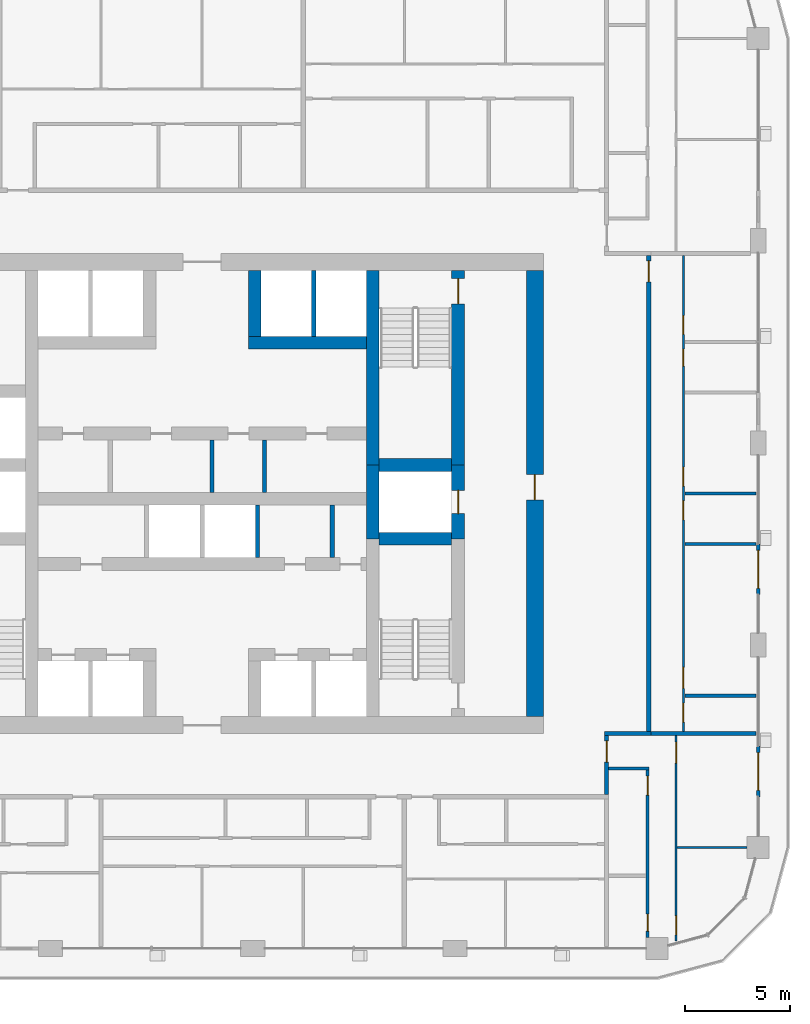
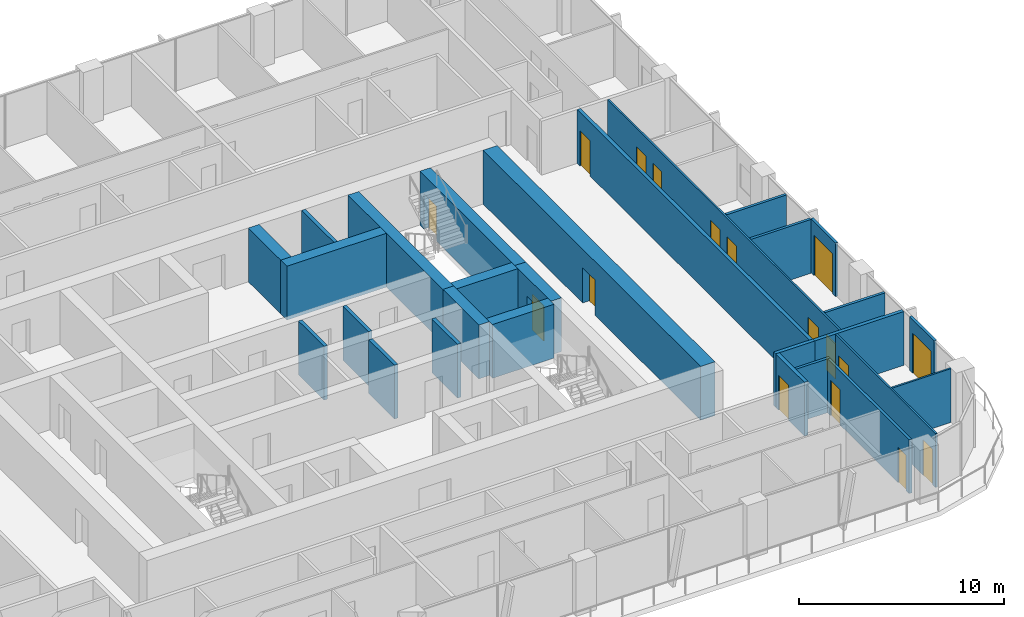
# One storey, part 12 of 22: 28 walls, 17 doors, 17 openings.
"""IFC4 building model written with IfcOpenShell, lengths in metres."""

from ifc_helpers import new_model, si_unit, direction, frame, frame_2d, origin, place, context, subcontext, project, spatial, rectangle, extrude, material, layer, layer_set, type_object, element, fill, save


model = new_model("IFC4")

# Units and contexts
model_context = context("Model", 3, precision=1e-05, world=origin(), true_north=direction((0.0, 1.0)))
body_context = subcontext(model_context, "Body", "Model", "MODEL_VIEW")
ifc_project = project(units=[si_unit("LENGTHUNIT", "METRE"), si_unit("AREAUNIT", "SQUARE_METRE"), si_unit("VOLUMEUNIT", "CUBIC_METRE"), si_unit("PLANEANGLEUNIT", "RADIAN"), si_unit("MASSUNIT", "GRAM", prefix="KILO")], contexts=[model_context])

# Site, building, storey
site_placement = place(None, origin())
site = spatial("IfcSite", under=ifc_project, at=site_placement, CompositionType="ELEMENT")
building_placement = place(site_placement, origin())
building = spatial("IfcBuilding", under=site, at=building_placement, Name="Madar Terraces", CompositionType="ELEMENT")
storey_placement = place(building_placement, frame((0.0, 0.0, 136.60009765625)))
storey = spatial("IfcBuildingStorey", under=building, at=storey_placement, Name="L35", CompositionType="ELEMENT", Elevation=136.60009765625)

# Walls
ifc_material_1 = material(Name="Concrete C70/85", Category="concrete")
ifc_layer_1 = layer(ifc_material_1, 0.60009765625)
ifc_layer_set_1 = layer_set([ifc_layer_1], Name="Concrete C70/85 (CIW3 RC wall 600)")
wall_type_1 = type_object("IfcWallType", Name="CIW3 RC wall 600", PredefinedType="SHEAR", material=ifc_layer_set_1)
wall_1_placement = place(storey_placement, frame((39.300048828125, 24.25, 0.0), z_axis=(0.0, 0.0, 1.0), x_axis=(0.0, 1.0, 0.0)))
element("IfcWall", 1, at=wall_1_placement, inside=storey, type_object=wall_type_1, Name="CORE SHAFT WALL", PredefinedType="SHEAR", context=body_context, shape_type="SweptSolid", body=[
    extrude(rectangle(XDim=3.5, YDim=0.60009765625, at=frame_2d((1.75, 0.0))), origin(), (0.0, 0.0, 1.0), 3.199951171875),
])
wall_2_placement = place(storey_placement, frame((39.300048828125, 27.75, 0.0), z_axis=(0.0, 0.0, 1.0), x_axis=(0.0, 1.0, 0.0)))
element("IfcWall", 2, at=wall_2_placement, inside=storey, type_object=wall_type_1, Name="CORE SHAFT WALL", PredefinedType="SHEAR", context=body_context, shape_type="SweptSolid", body=[
    extrude(rectangle(XDim=9.25, YDim=0.60009765625, at=frame_2d((4.625, 0.0))), origin(), (0.0, 0.0, 1.0), 3.199951171875),
])

# Wall, opening, door
wall_3_placement = place(storey_placement, frame((43.35009765625, 24.25, 0.0), z_axis=(0.0, 0.0, 1.0), x_axis=(0.0, 1.0, 0.0)))
wall_3 = element("IfcWall", 3, at=wall_3_placement, inside=storey, type_object=wall_type_1, Name="CORE SHAFT WALL", PredefinedType="SHEAR", context=body_context, shape_type="SweptSolid", body=[
    extrude(rectangle(XDim=3.5, YDim=0.60009765625, at=frame_2d((1.75, 0.0))), origin(), (0.0, 0.0, 1.0), 3.199951171875),
])
opening_1_placement = place(wall_3_placement, frame((1.199951171875, 0.0, 0.0)))
opening_1 = element("IfcOpeningElement", 4, at=opening_1_placement, cuts=wall_3, Name="Opening LD", PredefinedType="OPENING", context=body_context, shape_type="SweptSolid", body=[
    extrude(rectangle(XDim=1.10009765625, YDim=2.10009765625, at=frame_2d((0.550048828125, 1.050048828125))), frame((0.0, 0.31005859375, 0.0), z_axis=(0.0, -1.0, 0.0), x_axis=(1.0, 0.0, 0.0)), (0.0, 0.0, 1.0), 0.6201171875),
])
ifc_material_2 = material(Name="Stainless steel panel", Category="steel")
door_type_1 = type_object("IfcDoorType", Name="Lift landing door 1100 x 2100", OperationType="DOUBLE_DOOR_SLIDING", PredefinedType="DOOR", material=ifc_material_2)
door_1_placement = place(opening_1_placement, origin())
door_1 = element("IfcDoor", 5, at=door_1_placement, inside=storey, type_object=door_type_1, Name="LIFT LANDING DOOR", OperationType="DOUBLE_DOOR_SLIDING", OverallHeight=2.10009765625, OverallWidth=1.10009765625, PredefinedType="DOOR", context=body_context, shape_type="SweptSolid", body=[
    extrude(rectangle(XDim=1.10009765625, YDim=2.10009765625, at=frame_2d((0.550048828125, 1.050048828125))), frame((0.0, 0.02490234375, 0.0), z_axis=(0.0, -1.0, 0.0), x_axis=(1.0, 0.0, 0.0)), (0.0, 0.0, 1.0), 0.050048828125),
])
fill(opening_1, door_1)

wall_4_placement = place(storey_placement, frame((43.35009765625, 27.75, 0.0), z_axis=(0.0, 0.0, 1.0), x_axis=(0.0, 1.0, 0.0)))
wall_4 = element("IfcWall", 6, at=wall_4_placement, inside=storey, type_object=wall_type_1, Name="CORE SHAFT WALL", PredefinedType="SHEAR", context=body_context, shape_type="SweptSolid", body=[
    extrude(rectangle(XDim=9.25, YDim=0.60009765625, at=frame_2d((4.625, 0.0))), origin(), (0.0, 0.0, 1.0), 3.199951171875),
])
opening_2_placement = place(wall_4_placement, frame((7.64990234375, 0.0, 0.0)))
opening_2 = element("IfcOpeningElement", 7, at=opening_2_placement, cuts=wall_4, Name="Opening SD1", PredefinedType="OPENING", context=body_context, shape_type="SweptSolid", body=[
    extrude(rectangle(XDim=1.199951171875, YDim=2.10009765625, at=frame_2d((0.60009765625, 1.050048828125))), frame((0.0, 0.31005859375, 0.0), z_axis=(0.0, -1.0, 0.0), x_axis=(1.0, 0.0, 0.0)), (0.0, 0.0, 1.0), 0.6201171875),
])
ifc_material_3 = material(Name="Steel door leaf", Category="steel")
door_type_2 = type_object("IfcDoorType", Name="Stair door 1200 x 2100", OperationType="NOTDEFINED", PredefinedType="DOOR", material=ifc_material_3)
door_2_placement = place(opening_2_placement, origin())
door_2 = element("IfcDoor", 8, at=door_2_placement, inside=storey, type_object=door_type_2, Name="STAIR DOOR", OperationType="SINGLE_SWING_LEFT", OverallHeight=2.10009765625, OverallWidth=1.199951171875, PredefinedType="DOOR", context=body_context, shape_type="SweptSolid", body=[
    extrude(rectangle(XDim=1.199951171875, YDim=2.10009765625, at=frame_2d((0.60009765625, 1.050048828125))), frame((0.0, 0.02490234375, 0.0), z_axis=(0.0, -1.0, 0.0), x_axis=(1.0, 0.0, 0.0)), (0.0, 0.0, 1.0), 0.050048828125),
])
fill(opening_2, door_2)

# Walls
for number, where, z_axis, x_axis, name in (
    (9, (39.60009765625, 24.25, 0.0), (0.0, 0.0, 1.0), (1.0, 0.0, 0.0), "CORE SHAFT WALL"),
    (10, (39.60009765625, 27.75, 0.0), (0.0, 0.0, 1.0), (1.0, 0.0, 0.0), "CORE SHAFT WALL"),
):
    element("IfcWall", number, at=place(storey_placement, frame(where, z_axis=z_axis, x_axis=x_axis)), inside=storey, type_object=wall_type_1, Name=name, PredefinedType="SHEAR", context=body_context, shape_type="SweptSolid", body=[
        extrude(rectangle(XDim=3.449951171875, YDim=0.60009765625, at=frame_2d((1.72509765625, 0.0))), origin(), (0.0, 0.0, 1.0), 3.199951171875),
    ])
wall_5_placement = place(storey_placement, frame((33.39990234375, 33.550048828125, 0.0), z_axis=(0.0, 0.0, 1.0), x_axis=(1.0, 0.0, 0.0)))
element("IfcWall", 11, at=wall_5_placement, inside=storey, type_object=wall_type_1, Name="CORE SHAFT WALL", PredefinedType="SHEAR", context=body_context, shape_type="SweptSolid", body=[
    extrude(rectangle(XDim=5.60009765625, YDim=0.60009765625, at=frame_2d((2.800048828125, 0.0))), origin(), (0.0, 0.0, 1.0), 3.199951171875),
])
wall_6_placement = place(storey_placement, frame((33.699951171875, 33.85009765625, 0.0), z_axis=(0.0, 0.0, 1.0), x_axis=(0.0, 1.0, 0.0)))
element("IfcWall", 12, at=wall_6_placement, inside=storey, type_object=wall_type_1, Name="CORE SHAFT WALL", PredefinedType="SHEAR", context=body_context, shape_type="SweptSolid", body=[
    extrude(rectangle(XDim=3.14990234375, YDim=0.60009765625, at=frame_2d((1.574951171875, 0.0))), origin(), (0.0, 0.0, 1.0), 3.199951171875),
])

# Wall, opening, door
ifc_material_4 = material(Name="Concrete C70/85", Category="concrete")
ifc_layer_2 = layer(ifc_material_4, 0.800048828125)
ifc_layer_set_2 = layer_set([ifc_layer_2], Name="Concrete C70/85 (CRW3 RC wall 800)")
wall_type_2 = type_object("IfcWallType", Name="CRW3 RC wall 800", PredefinedType="SHEAR", material=ifc_layer_set_2)
wall_7_placement = place(storey_placement, frame((47.0, 15.800048828125, 0.0), z_axis=(0.0, 0.0, 1.0), x_axis=(0.0, 1.0, 0.0)))
wall_7 = element("IfcWall", 13, at=wall_7_placement, inside=storey, type_object=wall_type_2, Name="CORE OUTER WALL", PredefinedType="SHEAR", context=body_context, shape_type="SweptSolid", body=[
    extrude(rectangle(XDim=21.199951171875, YDim=0.800048828125, at=frame_2d((10.60009765625, 0.0))), origin(), (0.0, 0.0, 1.0), 3.199951171875),
])
opening_3_placement = place(wall_7_placement, frame((10.300048828125, 0.0, 0.0)))
opening_3 = element("IfcOpeningElement", 14, at=opening_3_placement, cuts=wall_7, Name="Opening SD1", PredefinedType="OPENING", context=body_context, shape_type="SweptSolid", body=[
    extrude(rectangle(XDim=1.199951171875, YDim=2.10009765625, at=frame_2d((0.60009765625, 1.050048828125))), frame((0.0, 0.409912109375, 0.0), z_axis=(0.0, -1.0, 0.0), x_axis=(1.0, 0.0, 0.0)), (0.0, 0.0, 1.0), 0.820068359375),
])
door_3_placement = place(opening_3_placement, origin())
door_3 = element("IfcDoor", 15, at=door_3_placement, inside=storey, type_object=door_type_2, Name="STAIR DOOR", OperationType="SINGLE_SWING_LEFT", OverallHeight=2.10009765625, OverallWidth=1.199951171875, PredefinedType="DOOR", context=body_context, shape_type="SweptSolid", body=[
    extrude(rectangle(XDim=1.199951171875, YDim=2.10009765625, at=frame_2d((0.60009765625, 1.050048828125))), frame((0.0, 0.02490234375, 0.0), z_axis=(0.0, -1.0, 0.0), x_axis=(1.0, 0.0, 0.0)), (0.0, 0.0, 1.0), 0.050048828125),
])
fill(opening_3, door_3)

# Walls
ifc_material_5 = material(Name="Masonry blockwork", Category="masonry")
ifc_layer_3 = layer(ifc_material_5, 0.199951171875)
ifc_layer_set_3 = layer_set([ifc_layer_3], Name="Core partition 200 blockwork")
wall_type_3 = type_object("IfcWallType", Name="Core partition 200 blockwork", PredefinedType="PARTITIONING", material=ifc_layer_set_3)
for number, where, z_axis, x_axis, name in (
    (16, (37.378662109375, 23.35009765625, 0.0), (0.0, 0.0, 1.0), (0.0, 1.0, 0.0), "SERVICE ROOM PARTITION"),
    (17, (31.66796875, 26.449951171875, 0.0), (0.0, 0.0, 1.0), (0.0, 1.0, 0.0), "SERVICE ROOM PARTITION"),
    (18, (34.1640625, 26.449951171875, 0.0), (0.0, 0.0, 1.0), (0.0, 1.0, 0.0), "SERVICE ROOM PARTITION"),
):
    element("IfcWall", number, at=place(storey_placement, frame(where, z_axis=z_axis, x_axis=x_axis)), inside=storey, type_object=wall_type_3, Name=name, PredefinedType="PARTITIONING", context=body_context, shape_type="SweptSolid", body=[
        extrude(rectangle(XDim=2.5, YDim=0.199951171875, at=frame_2d((1.25, 0.0))), origin(), (0.0, 0.0, 1.0), 3.199951171875),
    ])
ifc_material_6 = material(Name="Concrete C40/50", Category="concrete")
ifc_layer_4 = layer(ifc_material_6, 0.199951171875)
ifc_layer_set_4 = layer_set([ifc_layer_4], Name="Core shaft dividing wall 200 C40/50")
wall_type_4 = type_object("IfcWallType", Name="Core shaft dividing wall 200 C40/50", PredefinedType="SOLIDWALL", material=ifc_layer_set_4)
wall_8_placement = place(storey_placement, frame((33.833251953125, 23.35009765625, 0.0), z_axis=(0.0, 0.0, 1.0), x_axis=(0.0, 1.0, 0.0)))
element("IfcWall", 19, at=wall_8_placement, inside=storey, type_object=wall_type_4, Name="SHAFT DIVIDING WALL", PredefinedType="SOLIDWALL", context=body_context, shape_type="SweptSolid", body=[
    extrude(rectangle(XDim=2.5, YDim=0.199951171875, at=frame_2d((1.25, 0.0))), origin(), (0.0, 0.0, 1.0), 3.199951171875),
])
wall_9_placement = place(storey_placement, frame((36.5, 33.85009765625, 0.0), z_axis=(0.0, 0.0, 1.0), x_axis=(0.0, 1.0, 0.0)))
element("IfcWall", 20, at=wall_9_placement, inside=storey, type_object=wall_type_4, Name="SHAFT DIVIDING WALL", PredefinedType="SOLIDWALL", context=body_context, shape_type="SweptSolid", body=[
    extrude(rectangle(XDim=3.14990234375, YDim=0.199951171875, at=frame_2d((1.574951171875, 0.0))), origin(), (0.0, 0.0, 1.0), 3.199951171875),
])

# Wall, opening, door
ifc_material_7 = material(Name="Aluminium composite panel, black, over insulated backing", Category="aluminium")
ifc_layer_5 = layer(ifc_material_7, 0.14990234375)
ifc_layer_set_5 = layer_set([ifc_layer_5], Name="Facade bay panel 150")
wall_type_5 = type_object("IfcWallType", Name="Facade bay panel 150", PredefinedType="SOLIDWALL", material=ifc_layer_set_5)
wall_10_placement = place(storey_placement, frame((57.60009765625, 12.0, 0.0), z_axis=(0.0, 0.0, 1.0), x_axis=(0.0, 1.0, 0.0)))
wall_10 = element("IfcWall", 21, at=wall_10_placement, inside=storey, type_object=wall_type_5, Name="Facade bay panel", PredefinedType="SOLIDWALL", context=body_context, shape_type="SweptSolid", body=[
    extrude(rectangle(XDim=2.39990234375, YDim=0.14990234375, at=frame_2d((1.199951171875, 0.0))), origin(), (0.0, 0.0, 1.0), 3.199951171875),
])
opening_4_placement = place(wall_10_placement, frame((0.300048828125, 0.0, 0.0)))
opening_4 = element("IfcOpeningElement", 22, at=opening_4_placement, cuts=wall_10, Name="Opening ED1", PredefinedType="OPENING", context=body_context, shape_type="SweptSolid", body=[
    extrude(rectangle(XDim=1.800048828125, YDim=2.39990234375, at=frame_2d((0.89990234375, 1.199951171875))), frame((0.0, 0.0849609375, 0.0), z_axis=(0.0, -1.0, 0.0), x_axis=(1.0, 0.0, 0.0)), (0.0, 0.0, 1.0), 0.169921875),
])
ifc_material_8 = material(Name="Glass, clear, with black aluminium frame", Category="aluminium")
door_type_3 = type_object("IfcDoorType", Name="Balcony and terrace sliding door 1800 x 2400", OperationType="SLIDING_TO_LEFT", PredefinedType="DOOR", material=ifc_material_8)
door_4_placement = place(opening_4_placement, origin())
door_4 = element("IfcDoor", 23, at=door_4_placement, inside=storey, type_object=door_type_3, Name="Balcony door", OperationType="SLIDING_TO_RIGHT", OverallHeight=2.39990234375, OverallWidth=1.800048828125, PredefinedType="DOOR", context=body_context, shape_type="SweptSolid", body=[
    extrude(rectangle(XDim=1.800048828125, YDim=2.39990234375, at=frame_2d((0.89990234375, 1.199951171875))), frame((0.0, 0.02490234375, 0.0), z_axis=(0.0, -1.0, 0.0), x_axis=(1.0, 0.0, 0.0)), (0.0, 0.0, 1.0), 0.050048828125),
])
fill(opening_4, door_4)

wall_11_placement = place(storey_placement, frame((57.60009765625, 21.60009765625, 0.0), z_axis=(0.0, 0.0, 1.0), x_axis=(0.0, 1.0, 0.0)))
wall_11 = element("IfcWall", 24, at=wall_11_placement, inside=storey, type_object=wall_type_5, Name="Facade bay panel", PredefinedType="SOLIDWALL", context=body_context, shape_type="SweptSolid", body=[
    extrude(rectangle(XDim=2.39990234375, YDim=0.14990234375, at=frame_2d((1.199951171875, 0.0))), origin(), (0.0, 0.0, 1.0), 3.199951171875),
])
opening_5_placement = place(wall_11_placement, frame((0.300048828125, 0.0, 0.0)))
opening_5 = element("IfcOpeningElement", 25, at=opening_5_placement, cuts=wall_11, Name="Opening ED1", PredefinedType="OPENING", context=body_context, shape_type="SweptSolid", body=[
    extrude(rectangle(XDim=1.800048828125, YDim=2.39990234375, at=frame_2d((0.89990234375, 1.199951171875))), frame((0.0, 0.0849609375, 0.0), z_axis=(0.0, -1.0, 0.0), x_axis=(1.0, 0.0, 0.0)), (0.0, 0.0, 1.0), 0.169921875),
])
door_5_placement = place(opening_5_placement, origin())
door_5 = element("IfcDoor", 26, at=door_5_placement, inside=storey, type_object=door_type_3, Name="Balcony door", OperationType="SLIDING_TO_LEFT", OverallHeight=2.39990234375, OverallWidth=1.800048828125, PredefinedType="DOOR", context=body_context, shape_type="SweptSolid", body=[
    extrude(rectangle(XDim=1.800048828125, YDim=2.39990234375, at=frame_2d((0.89990234375, 1.199951171875))), frame((0.0, 0.02490234375, 0.0), z_axis=(0.0, -1.0, 0.0), x_axis=(1.0, 0.0, 0.0)), (0.0, 0.0, 1.0), 0.050048828125),
])
fill(opening_5, door_5)

# Wall
ifc_material_9 = material(Name="Gypsum board on steel studs", Category="steel")
ifc_layer_6 = layer(ifc_material_9, 0.10009765625)
ifc_layer_set_6 = layer_set([ifc_layer_6], Name="Flat partition 100")
wall_type_6 = type_object("IfcWallType", Name="Flat partition 100", PredefinedType="PARTITIONING", material=ifc_layer_set_6)
wall_12_placement = place(storey_placement, frame((53.75, 9.60009765625, 0.0), z_axis=(0.0, 0.0, 1.0), x_axis=(1.0, 0.0, 0.0)))
element("IfcWall", 27, at=wall_12_placement, inside=storey, type_object=wall_type_6, Name="Flat partition 100", PredefinedType="PARTITIONING", context=body_context, shape_type="SweptSolid", body=[
    extrude(rectangle(XDim=3.324951171875, YDim=0.10009765625, at=frame_2d((1.66259765625, 0.0))), origin(), (0.0, 0.0, 1.0), 3.199951171875),
])

# Wall, openings, doors
wall_13_placement = place(storey_placement, frame((53.699951171875, 14.89990234375, 0.0), z_axis=(0.0, 0.0, 1.0), x_axis=(0.0, -1.0, 0.0)))
wall_13 = element("IfcWall", 28, at=wall_13_placement, inside=storey, type_object=wall_type_6, Name="Flat partition 100", PredefinedType="PARTITIONING", context=body_context, shape_type="SweptSolid", body=[
    extrude(rectangle(XDim=9.7587890625, YDim=0.10009765625, at=frame_2d((4.87939453125, 0.0))), origin(), (0.0, 0.0, 1.0), 3.199951171875),
])
opening_6_placement = place(wall_13_placement, frame((0.300048828125, 0.0, 0.0)))
opening_6 = element("IfcOpeningElement", 29, at=opening_6_placement, cuts=wall_13, Name="Opening D3", PredefinedType="OPENING", context=body_context, shape_type="SweptSolid", body=[
    extrude(rectangle(XDim=1.0, YDim=2.10009765625, at=frame_2d((0.5, 1.050048828125))), frame((0.0, 0.06005859375, 0.0), z_axis=(0.0, -1.0, 0.0), x_axis=(1.0, 0.0, 0.0)), (0.0, 0.0, 1.0), 0.1201171875),
])
opening_7_placement = place(wall_13_placement, frame((8.558837890625, 0.0, 0.0)))
opening_7 = element("IfcOpeningElement", 30, at=opening_7_placement, cuts=wall_13, Name="Opening D2", PredefinedType="OPENING", context=body_context, shape_type="SweptSolid", body=[
    extrude(rectangle(XDim=0.89990234375, YDim=2.10009765625, at=frame_2d((0.449951171875, 1.050048828125))), frame((0.0, 0.06005859375, 0.0), z_axis=(0.0, -1.0, 0.0), x_axis=(1.0, 0.0, 0.0)), (0.0, 0.0, 1.0), 0.1201171875),
])
ifc_material_10 = material(Name="Timber door leaf", Category="wood")
door_type_4 = type_object("IfcDoorType", Name="Flat living room door 1000", OperationType="NOTDEFINED", PredefinedType="DOOR", material=ifc_material_10)
door_6_placement = place(opening_6_placement, origin())
door_6 = element("IfcDoor", 31, at=door_6_placement, inside=storey, type_object=door_type_4, Name="Flat living room door 1000", OperationType="SINGLE_SWING_LEFT", OverallHeight=2.10009765625, OverallWidth=1.0, PredefinedType="DOOR", context=body_context, shape_type="SweptSolid", body=[
    extrude(rectangle(XDim=1.0, YDim=2.10009765625, at=frame_2d((0.5, 1.050048828125))), frame((0.0, 0.02490234375, 0.0), z_axis=(0.0, -1.0, 0.0), x_axis=(1.0, 0.0, 0.0)), (0.0, 0.0, 1.0), 0.050048828125),
])
fill(opening_6, door_6)
ifc_material_11 = material(Name="Timber door leaf", Category="wood")
door_type_5 = type_object("IfcDoorType", Name="Flat room door 900", OperationType="NOTDEFINED", PredefinedType="DOOR", material=ifc_material_11)
door_7_placement = place(opening_7_placement, origin())
door_7 = element("IfcDoor", 32, at=door_7_placement, inside=storey, type_object=door_type_5, Name="Flat room door 900", OperationType="SINGLE_SWING_RIGHT", OverallHeight=2.10009765625, OverallWidth=0.89990234375, PredefinedType="DOOR", context=body_context, shape_type="SweptSolid", body=[
    extrude(rectangle(XDim=0.89990234375, YDim=2.10009765625, at=frame_2d((0.449951171875, 1.050048828125))), frame((0.0, 0.02490234375, 0.0), z_axis=(0.0, -1.0, 0.0), x_axis=(1.0, 0.0, 0.0)), (0.0, 0.0, 1.0), 0.050048828125),
])
fill(opening_7, door_7)

wall_14_placement = place(storey_placement, frame((54.050048828125, 37.699951171875, 0.0), z_axis=(0.0, 0.0, 1.0), x_axis=(0.0, -1.0, 0.0)))
wall_14 = element("IfcWall", 33, at=wall_14_placement, inside=storey, type_object=wall_type_6, Name="Flat partition 100", PredefinedType="PARTITIONING", context=body_context, shape_type="SweptSolid", body=[
    extrude(rectangle(XDim=22.599853515625, YDim=0.10009765625, at=frame_2d((11.2998046875, 0.0))), origin(), (0.0, 0.0, 1.0), 3.199951171875),
])
opening_8_placement = place(wall_14_placement, frame((2.85009765625, 0.0, 0.0)))
opening_8 = element("IfcOpeningElement", 34, at=opening_8_placement, cuts=wall_14, Name="Opening D2", PredefinedType="OPENING", context=body_context, shape_type="SweptSolid", body=[
    extrude(rectangle(XDim=0.89990234375, YDim=2.10009765625, at=frame_2d((0.449951171875, 1.050048828125))), frame((0.0, 0.06005859375, 0.0), z_axis=(0.0, -1.0, 0.0), x_axis=(1.0, 0.0, 0.0)), (0.0, 0.0, 1.0), 0.1201171875),
])
opening_9_placement = place(wall_14_placement, frame((4.449951171875, 0.0, 0.0)))
opening_9 = element("IfcOpeningElement", 35, at=opening_9_placement, cuts=wall_14, Name="Opening D4", PredefinedType="OPENING", context=body_context, shape_type="SweptSolid", body=[
    extrude(rectangle(XDim=0.800048828125, YDim=2.10009765625, at=frame_2d((0.39990234375, 1.050048828125))), frame((0.0, 0.06005859375, 0.0), z_axis=(0.0, -1.0, 0.0), x_axis=(1.0, 0.0, 0.0)), (0.0, 0.0, 1.0), 0.1201171875),
])
opening_10_placement = place(wall_14_placement, frame((10.050048828125, 0.0, 0.0)))
opening_10 = element("IfcOpeningElement", 36, at=opening_10_placement, cuts=wall_14, Name="Opening D2", PredefinedType="OPENING", context=body_context, shape_type="SweptSolid", body=[
    extrude(rectangle(XDim=0.89990234375, YDim=2.10009765625, at=frame_2d((0.449951171875, 1.050048828125))), frame((0.0, 0.06005859375, 0.0), z_axis=(0.0, -1.0, 0.0), x_axis=(1.0, 0.0, 0.0)), (0.0, 0.0, 1.0), 0.1201171875),
])
opening_11_placement = place(wall_14_placement, frame((11.64990234375, 0.0, 0.0)))
opening_11 = element("IfcOpeningElement", 37, at=opening_11_placement, cuts=wall_14, Name="Opening D5", PredefinedType="OPENING", context=body_context, shape_type="SweptSolid", body=[
    extrude(rectangle(XDim=0.89990234375, YDim=2.10009765625, at=frame_2d((0.449951171875, 1.050048828125))), frame((0.0, 0.06005859375, 0.0), z_axis=(0.0, -1.0, 0.0), x_axis=(1.0, 0.0, 0.0)), (0.0, 0.0, 1.0), 0.1201171875),
])
opening_12_placement = place(wall_14_placement, frame((19.550048828125, 0.0, 0.0)))
opening_12 = element("IfcOpeningElement", 38, at=opening_12_placement, cuts=wall_14, Name="Opening D3", PredefinedType="OPENING", context=body_context, shape_type="SweptSolid", body=[
    extrude(rectangle(XDim=1.0, YDim=2.10009765625, at=frame_2d((0.5, 1.050048828125))), frame((0.0, 0.06005859375, 0.0), z_axis=(0.0, -1.0, 0.0), x_axis=(1.0, 0.0, 0.0)), (0.0, 0.0, 1.0), 0.1201171875),
])
opening_13_placement = place(wall_14_placement, frame((21.25, 0.0, 0.0)))
opening_13 = element("IfcOpeningElement", 39, at=opening_13_placement, cuts=wall_14, Name="Opening D2", PredefinedType="OPENING", context=body_context, shape_type="SweptSolid", body=[
    extrude(rectangle(XDim=0.89990234375, YDim=2.10009765625, at=frame_2d((0.449951171875, 1.050048828125))), frame((0.0, 0.06005859375, 0.0), z_axis=(0.0, -1.0, 0.0), x_axis=(1.0, 0.0, 0.0)), (0.0, 0.0, 1.0), 0.1201171875),
])
ifc_material_12 = material(Name="Timber door leaf", Category="wood")
door_type_6 = type_object("IfcDoorType", Name="Flat accessible bathroom door 900", OperationType="NOTDEFINED", PredefinedType="DOOR", material=ifc_material_12)
door_8_placement = place(opening_11_placement, origin())
door_8 = element("IfcDoor", 40, at=door_8_placement, inside=storey, type_object=door_type_6, Name="Flat accessible bathroom door 900", OperationType="SINGLE_SWING_LEFT", OverallHeight=2.10009765625, OverallWidth=0.89990234375, PredefinedType="DOOR", context=body_context, shape_type="SweptSolid", body=[
    extrude(rectangle(XDim=0.89990234375, YDim=2.10009765625, at=frame_2d((0.449951171875, 1.050048828125))), frame((0.0, 0.02490234375, 0.0), z_axis=(0.0, -1.0, 0.0), x_axis=(1.0, 0.0, 0.0)), (0.0, 0.0, 1.0), 0.050048828125),
])
fill(opening_11, door_8)
ifc_material_13 = material(Name="Timber door leaf", Category="wood")
door_type_7 = type_object("IfcDoorType", Name="Flat bathroom door 800", OperationType="NOTDEFINED", PredefinedType="DOOR", material=ifc_material_13)
door_9_placement = place(opening_9_placement, origin())
door_9 = element("IfcDoor", 41, at=door_9_placement, inside=storey, type_object=door_type_7, Name="Flat bathroom door 800", OperationType="SINGLE_SWING_LEFT", OverallHeight=2.10009765625, OverallWidth=0.800048828125, PredefinedType="DOOR", context=body_context, shape_type="SweptSolid", body=[
    extrude(rectangle(XDim=0.800048828125, YDim=2.10009765625, at=frame_2d((0.39990234375, 1.050048828125))), frame((0.0, 0.02490234375, 0.0), z_axis=(0.0, -1.0, 0.0), x_axis=(1.0, 0.0, 0.0)), (0.0, 0.0, 1.0), 0.050048828125),
])
fill(opening_9, door_9)
door_10_placement = place(opening_12_placement, origin())
door_10 = element("IfcDoor", 42, at=door_10_placement, inside=storey, type_object=door_type_4, Name="Flat living room door 1000", OperationType="SINGLE_SWING_RIGHT", OverallHeight=2.10009765625, OverallWidth=1.0, PredefinedType="DOOR", context=body_context, shape_type="SweptSolid", body=[
    extrude(rectangle(XDim=1.0, YDim=2.10009765625, at=frame_2d((0.5, 1.050048828125))), frame((0.0, 0.02490234375, 0.0), z_axis=(0.0, -1.0, 0.0), x_axis=(1.0, 0.0, 0.0)), (0.0, 0.0, 1.0), 0.050048828125),
])
fill(opening_12, door_10)
door_11_placement = place(opening_8_placement, origin())
door_11 = element("IfcDoor", 43, at=door_11_placement, inside=storey, type_object=door_type_5, Name="Flat room door 900", OperationType="SINGLE_SWING_RIGHT", OverallHeight=2.10009765625, OverallWidth=0.89990234375, PredefinedType="DOOR", context=body_context, shape_type="SweptSolid", body=[
    extrude(rectangle(XDim=0.89990234375, YDim=2.10009765625, at=frame_2d((0.449951171875, 1.050048828125))), frame((0.0, 0.02490234375, 0.0), z_axis=(0.0, -1.0, 0.0), x_axis=(1.0, 0.0, 0.0)), (0.0, 0.0, 1.0), 0.050048828125),
])
fill(opening_8, door_11)
door_12_placement = place(opening_10_placement, origin())
door_12 = element("IfcDoor", 44, at=door_12_placement, inside=storey, type_object=door_type_5, Name="Flat room door 900", OperationType="SINGLE_SWING_RIGHT", OverallHeight=2.10009765625, OverallWidth=0.89990234375, PredefinedType="DOOR", context=body_context, shape_type="SweptSolid", body=[
    extrude(rectangle(XDim=0.89990234375, YDim=2.10009765625, at=frame_2d((0.449951171875, 1.050048828125))), frame((0.0, 0.02490234375, 0.0), z_axis=(0.0, -1.0, 0.0), x_axis=(1.0, 0.0, 0.0)), (0.0, 0.0, 1.0), 0.050048828125),
])
fill(opening_10, door_12)
door_13_placement = place(opening_13_placement, origin())
door_13 = element("IfcDoor", 45, at=door_13_placement, inside=storey, type_object=door_type_5, Name="Flat room door 900", OperationType="SINGLE_SWING_LEFT", OverallHeight=2.10009765625, OverallWidth=0.89990234375, PredefinedType="DOOR", context=body_context, shape_type="SweptSolid", body=[
    extrude(rectangle(XDim=0.89990234375, YDim=2.10009765625, at=frame_2d((0.449951171875, 1.050048828125))), frame((0.0, 0.02490234375, 0.0), z_axis=(0.0, -1.0, 0.0), x_axis=(1.0, 0.0, 0.0)), (0.0, 0.0, 1.0), 0.050048828125),
])
fill(opening_13, door_13)

# Wall, opening, door
ifc_material_14 = material(Name="Lightweight blockwork", Category="masonry")
ifc_layer_7 = layer(ifc_material_14, 0.199951171875)
ifc_layer_set_7 = layer_set([ifc_layer_7], Name="Flat party and entrance wall 200")
wall_type_7 = type_object("IfcWallType", Name="Flat party and entrance wall 200", PredefinedType="PARTITIONING", material=ifc_layer_set_7)
wall_15_placement = place(storey_placement, frame((50.39990234375, 14.89990234375, 0.0), z_axis=(0.0, 0.0, 1.0), x_axis=(0.0, -1.0, 0.0)))
wall_15 = element("IfcWall", 46, at=wall_15_placement, inside=storey, type_object=wall_type_7, Name="Flat party and entrance wall 200", PredefinedType="PARTITIONING", context=body_context, shape_type="SweptSolid", body=[
    extrude(rectangle(XDim=2.7998046875, YDim=0.199951171875, at=frame_2d((1.39990234375, 0.0))), origin(), (0.0, 0.0, 1.0), 3.199951171875),
])
opening_14_placement = place(wall_15_placement, frame((0.25, 0.0, 0.0)))
opening_14 = element("IfcOpeningElement", 47, at=opening_14_placement, cuts=wall_15, Name="Opening D1", PredefinedType="OPENING", context=body_context, shape_type="SweptSolid", body=[
    extrude(rectangle(XDim=1.0, YDim=2.10009765625, at=frame_2d((0.5, 1.050048828125))), frame((0.0, 0.10986328125, 0.0), z_axis=(0.0, -1.0, 0.0), x_axis=(1.0, 0.0, 0.0)), (0.0, 0.0, 1.0), 0.219970703125),
])
ifc_material_15 = material(Name="Timber fire door leaf", Category="wood")
door_type_8 = type_object("IfcDoorType", Name="Flat entrance door 1000 FD30S", OperationType="NOTDEFINED", PredefinedType="DOOR", material=ifc_material_15)
door_14_placement = place(opening_14_placement, origin())
door_14 = element("IfcDoor", 48, at=door_14_placement, inside=storey, type_object=door_type_8, Name="Flat entrance door 1000 FD30S", OperationType="SINGLE_SWING_LEFT", OverallHeight=2.10009765625, OverallWidth=1.0, PredefinedType="DOOR", context=body_context, shape_type="SweptSolid", body=[
    extrude(rectangle(XDim=1.0, YDim=2.10009765625, at=frame_2d((0.5, 1.050048828125))), frame((0.0, 0.02490234375, 0.0), z_axis=(0.0, -1.0, 0.0), x_axis=(1.0, 0.0, 0.0)), (0.0, 0.0, 1.0), 0.050048828125),
])
fill(opening_14, door_14)

# Wall
wall_16_placement = place(storey_placement, frame((50.300048828125, 15.0, 0.0), z_axis=(0.0, 0.0, 1.0), x_axis=(1.0, 0.0, 0.0)))
element("IfcWall", 49, at=wall_16_placement, inside=storey, type_object=wall_type_7, Name="Flat party and entrance wall 200", PredefinedType="PARTITIONING", context=body_context, shape_type="SweptSolid", body=[
    extrude(rectangle(XDim=2.199951171875, YDim=0.199951171875, at=frame_2d((1.10009765625, 0.0))), origin(), (0.0, 0.0, 1.0), 3.199951171875),
])

# Wall, opening, door
wall_17_placement = place(storey_placement, frame((52.39990234375, 37.699951171875, 0.0), z_axis=(0.0, 0.0, 1.0), x_axis=(0.0, -1.0, 0.0)))
wall_17 = element("IfcWall", 50, at=wall_17_placement, inside=storey, type_object=wall_type_7, Name="Flat party and entrance wall 200", PredefinedType="PARTITIONING", context=body_context, shape_type="SweptSolid", body=[
    extrude(rectangle(XDim=22.599853515625, YDim=0.199951171875, at=frame_2d((11.2998046875, 0.0))), origin(), (0.0, 0.0, 1.0), 3.199951171875),
])
opening_15_placement = place(wall_17_placement, frame((0.25, 0.0, 0.0)))
opening_15 = element("IfcOpeningElement", 51, at=opening_15_placement, cuts=wall_17, Name="Opening D1", PredefinedType="OPENING", context=body_context, shape_type="SweptSolid", body=[
    extrude(rectangle(XDim=1.0, YDim=2.10009765625, at=frame_2d((0.5, 1.050048828125))), frame((0.0, 0.10986328125, 0.0), z_axis=(0.0, -1.0, 0.0), x_axis=(1.0, 0.0, 0.0)), (0.0, 0.0, 1.0), 0.219970703125),
])
door_15_placement = place(opening_15_placement, origin())
door_15 = element("IfcDoor", 52, at=door_15_placement, inside=storey, type_object=door_type_8, Name="Flat entrance door 1000 FD30S", OperationType="SINGLE_SWING_LEFT", OverallHeight=2.10009765625, OverallWidth=1.0, PredefinedType="DOOR", context=body_context, shape_type="SweptSolid", body=[
    extrude(rectangle(XDim=1.0, YDim=2.10009765625, at=frame_2d((0.5, 1.050048828125))), frame((0.0, 0.02490234375, 0.0), z_axis=(0.0, -1.0, 0.0), x_axis=(1.0, 0.0, 0.0)), (0.0, 0.0, 1.0), 0.050048828125),
])
fill(opening_15, door_15)

# Walls
wall_18_placement = place(storey_placement, frame((52.5, 15.0, 0.0), z_axis=(0.0, 0.0, 1.0), x_axis=(1.0, 0.0, 0.0)))
element("IfcWall", 53, at=wall_18_placement, inside=storey, type_object=wall_type_7, Name="Flat party and entrance wall 200", PredefinedType="PARTITIONING", context=body_context, shape_type="SweptSolid", body=[
    extrude(rectangle(XDim=5.0, YDim=0.199951171875, at=frame_2d((2.5, 0.0))), origin(), (0.0, 0.0, 1.0), 3.199951171875),
])
ifc_material_16 = material(Name="Lightweight blockwork", Category="masonry")
ifc_layer_8 = layer(ifc_material_16, 0.14990234375)
ifc_layer_set_8 = layer_set([ifc_layer_8], Name="Flat wet-room partition 150")
wall_type_8 = type_object("IfcWallType", Name="Flat wet-room partition 150", PredefinedType="PARTITIONING", material=ifc_layer_set_8)
wall_19_placement = place(storey_placement, frame((50.5, 13.35009765625, 0.0), z_axis=(0.0, 0.0, 1.0), x_axis=(1.0, 0.0, 0.0)))
element("IfcWall", 54, at=wall_19_placement, inside=storey, type_object=wall_type_8, Name="Flat wet-room partition 150", PredefinedType="PARTITIONING", context=body_context, shape_type="SweptSolid", body=[
    extrude(rectangle(XDim=1.925048828125, YDim=0.14990234375, at=frame_2d((0.96240234375, 0.0))), origin(), (0.0, 0.0, 1.0), 3.199951171875),
])

# Wall, openings, doors
wall_20_placement = place(storey_placement, frame((52.35009765625, 5.324951171875, 0.0), z_axis=(0.0, 0.0, 1.0), x_axis=(0.0, 1.0, 0.0)))
wall_20 = element("IfcWall", 55, at=wall_20_placement, inside=storey, type_object=wall_type_8, Name="Flat wet-room partition 150", PredefinedType="PARTITIONING", context=body_context, shape_type="SweptSolid", body=[
    extrude(rectangle(XDim=7.949951171875, YDim=0.14990234375, at=frame_2d((3.97509765625, 0.0))), origin(), (0.0, 0.0, 1.0), 3.199951171875),
])
opening_16_placement = place(wall_20_placement, frame((6.75, 0.0, 0.0)))
opening_16 = element("IfcOpeningElement", 56, at=opening_16_placement, cuts=wall_20, Name="Opening D2", PredefinedType="OPENING", context=body_context, shape_type="SweptSolid", body=[
    extrude(rectangle(XDim=0.89990234375, YDim=2.10009765625, at=frame_2d((0.449951171875, 1.050048828125))), frame((0.0, 0.0849609375, 0.0), z_axis=(0.0, -1.0, 0.0), x_axis=(1.0, 0.0, 0.0)), (0.0, 0.0, 1.0), 0.169921875),
])
opening_17_placement = place(wall_20_placement, frame((0.300048828125, 0.0, 0.0)))
opening_17 = element("IfcOpeningElement", 57, at=opening_17_placement, cuts=wall_20, Name="Opening D4", PredefinedType="OPENING", context=body_context, shape_type="SweptSolid", body=[
    extrude(rectangle(XDim=0.800048828125, YDim=2.10009765625, at=frame_2d((0.39990234375, 1.050048828125))), frame((0.0, 0.0849609375, 0.0), z_axis=(0.0, -1.0, 0.0), x_axis=(1.0, 0.0, 0.0)), (0.0, 0.0, 1.0), 0.169921875),
])
door_16_placement = place(opening_17_placement, origin())
door_16 = element("IfcDoor", 58, at=door_16_placement, inside=storey, type_object=door_type_7, Name="Flat bathroom door 800", OperationType="SINGLE_SWING_LEFT", OverallHeight=2.10009765625, OverallWidth=0.800048828125, PredefinedType="DOOR", context=body_context, shape_type="SweptSolid", body=[
    extrude(rectangle(XDim=0.800048828125, YDim=2.10009765625, at=frame_2d((0.39990234375, 1.050048828125))), frame((0.0, 0.02490234375, 0.0), z_axis=(0.0, -1.0, 0.0), x_axis=(1.0, 0.0, 0.0)), (0.0, 0.0, 1.0), 0.050048828125),
])
fill(opening_17, door_16)
door_17_placement = place(opening_16_placement, origin())
door_17 = element("IfcDoor", 59, at=door_17_placement, inside=storey, type_object=door_type_5, Name="Flat room door 900", OperationType="SINGLE_SWING_RIGHT", OverallHeight=2.10009765625, OverallWidth=0.89990234375, PredefinedType="DOOR", context=body_context, shape_type="SweptSolid", body=[
    extrude(rectangle(XDim=0.89990234375, YDim=2.10009765625, at=frame_2d((0.449951171875, 1.050048828125))), frame((0.0, 0.02490234375, 0.0), z_axis=(0.0, -1.0, 0.0), x_axis=(1.0, 0.0, 0.0)), (0.0, 0.0, 1.0), 0.050048828125),
])
fill(opening_16, door_17)

# Walls
for number, where, z_axis, x_axis, name in (
    (60, (54.125, 26.39990234375, 0.0), (0.0, 0.0, 1.0), (1.0, 0.0, 0.0), "Flat wet-room partition 150"),
    (61, (54.125, 24.0, 0.0), (0.0, 0.0, 1.0), (1.0, 0.0, 0.0), "Flat wet-room partition 150"),
    (62, (54.125, 16.800048828125, 0.0), (0.0, 0.0, 1.0), (1.0, 0.0, 0.0), "Flat wet-room partition 150"),
):
    element("IfcWall", number, at=place(storey_placement, frame(where, z_axis=z_axis, x_axis=x_axis)), inside=storey, type_object=wall_type_8, Name=name, PredefinedType="PARTITIONING", context=body_context, shape_type="SweptSolid", body=[
        extrude(rectangle(XDim=3.375, YDim=0.14990234375, at=frame_2d((1.6875, 0.0))), origin(), (0.0, 0.0, 1.0), 3.199951171875),
    ])

save(model, "model.ifc")
